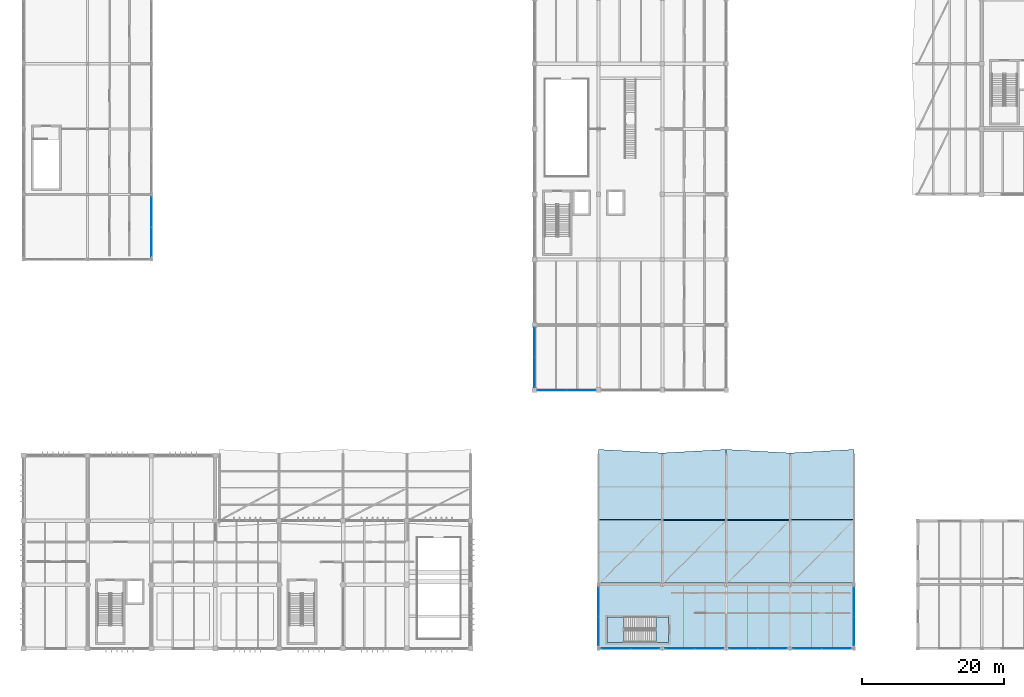
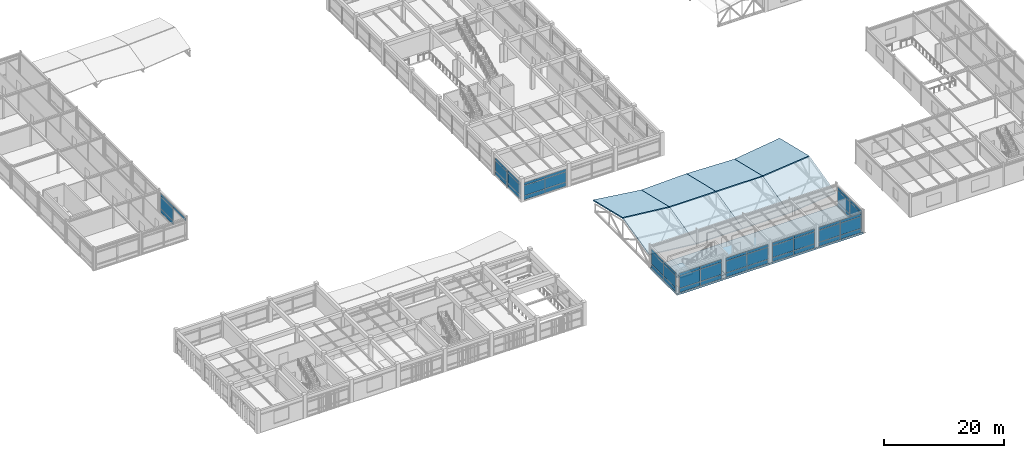
# One storey, part 54 of 90: 52 plates, 11 slabs, 10 elements without a shape of their own.
"""IFC4 building model written with IfcOpenShell, lengths in metres."""

from ifc_helpers import new_model, si_unit, direction, frame, origin, origin_2d, place, context, subcontext, project, spatial, polyline, rectangle, outline, extrude, material, layer, layer_set, type_object, element, aggregate, save


model = new_model("IFC4")

# Units and contexts
model_context = context("Model", 3, precision=1e-05, world=origin(), true_north=direction((0.0, 1.0)))
body_context = subcontext(model_context, "Body", "Model", "MODEL_VIEW")
ifc_project = project(units=[si_unit("LENGTHUNIT", "METRE"), si_unit("AREAUNIT", "SQUARE_METRE"), si_unit("VOLUMEUNIT", "CUBIC_METRE"), si_unit("PLANEANGLEUNIT", "RADIAN"), si_unit("MASSUNIT", "GRAM", prefix="KILO")], contexts=[model_context])

# Site, building, storey
site_placement = place(None, origin())
site = spatial("IfcSite", under=ifc_project, at=site_placement, CompositionType="ELEMENT")
building_placement = place(site_placement, origin())
building = spatial("IfcBuilding", under=site, at=building_placement, Name="Bozkorgan Art Gallery", CompositionType="ELEMENT")
storey_placement = place(building_placement, frame((0.0, 0.0, 5.39990234375)))
storey = spatial("IfcBuildingStorey", under=building, at=storey_placement, Name="L01", CompositionType="ELEMENT", Elevation=5.39990234375)

# Curtain wall, plates
ifc_material_1 = material(Name="Anodised Bronze Aluminium", Category="aluminium")
curtain_wall_type_1 = type_object("IfcCurtainWallType", Name="CW-CW-52", PredefinedType="NOTDEFINED", material=ifc_material_1)
curtain_wall_1_placement = place(storey_placement, origin())
curtain_wall_1 = element("IfcCurtainWall", 1, at=curtain_wall_1_placement, inside=storey, type_object=curtain_wall_type_1, Name="L01 unitised curtain wall CW-V2-L01-1E-06", PredefinedType="NOTDEFINED")
ifc_material_2 = material(Name="Triple Low-E Laminated Glass", Category="glass")
ifc_layer_1 = layer(ifc_material_2, 0.0439453125, Name="Triple Low-E Laminated Glass")
ifc_layer_set_1 = layer_set([ifc_layer_1], Name="Triple Low-E Laminated Glass")
plate_type = type_object("IfcPlateType", Name="CWP-GLZ", PredefinedType="CURTAIN_PANEL", material=ifc_layer_set_1)
plate_1_placement = place(storey_placement, frame((20.0, 59.2763671875, 3.48486328125), z_axis=(0.0, 0.0, 1.0), x_axis=(0.0, 1.0, 0.0)))
plate_1 = element("IfcPlate", 2, at=plate_1_placement, type_object=plate_type, Name="CW-52 panel 1.3", PredefinedType="CURTAIN_PANEL", context=body_context, shape_type="SweptSolid", body=[
    extrude(rectangle(XDim=4.172607421875, YDim=0.0439453125, at=origin_2d()), origin(), (0.0, 0.0, 1.0), 0.530029296875),
])
plate_2_placement = place(storey_placement, frame((20.0, 63.523681640625, 0.10009765625), z_axis=(0.0, 0.0, 1.0), x_axis=(0.0, 1.0, 0.0)))
plate_2 = element("IfcPlate", 3, at=plate_2_placement, type_object=plate_type, Name="CW-52 panel 2.1", PredefinedType="CURTAIN_PANEL", context=body_context, shape_type="SweptSolid", body=[
    extrude(rectangle(XDim=4.172607421875, YDim=0.0439453125, at=origin_2d()), origin(), (0.0, 0.0, 1.0), 0.780029296875),
])
plate_3_placement = place(storey_placement, frame((20.0, 63.523681640625, 0.9599609375), z_axis=(0.0, 0.0, 1.0), x_axis=(0.0, 1.0, 0.0)))
plate_3 = element("IfcPlate", 4, at=plate_3_placement, type_object=plate_type, Name="CW-52 panel 2.2", PredefinedType="CURTAIN_PANEL", context=body_context, shape_type="SweptSolid", body=[
    extrude(rectangle(XDim=4.172607421875, YDim=0.0439453125, at=origin_2d()), origin(), (0.0, 0.0, 1.0), 2.445068359375),
])
plate_4_placement = place(storey_placement, frame((20.0, 63.523681640625, 3.48486328125), z_axis=(0.0, 0.0, 1.0), x_axis=(0.0, 1.0, 0.0)))
plate_4 = element("IfcPlate", 5, at=plate_4_placement, type_object=plate_type, Name="CW-52 panel 2.3", PredefinedType="CURTAIN_PANEL", context=body_context, shape_type="SweptSolid", body=[
    extrude(rectangle(XDim=4.172607421875, YDim=0.0439453125, at=origin_2d()), origin(), (0.0, 0.0, 1.0), 0.530029296875),
])
aggregate(curtain_wall_1, [plate_1, plate_2, plate_3, plate_4])

curtain_wall_type_2 = type_object("IfcCurtainWallType", Name="CW-CW-84", PredefinedType="NOTDEFINED", material=ifc_material_1)
curtain_wall_2_placement = place(storey_placement, origin())
curtain_wall_2 = element("IfcCurtainWall", 6, at=curtain_wall_2_placement, inside=storey, type_object=curtain_wall_type_2, Name="L01 unitised curtain wall CW-V3-L01-1S-01", PredefinedType="NOTDEFINED")
plate_5_placement = place(storey_placement, frame((85.451171875, 2.0, 0.094970703125), z_axis=(0.0, 0.0, 1.0), x_axis=(1.0, 0.0, 0.0)))
plate_5 = element("IfcPlate", 7, at=plate_5_placement, type_object=plate_type, Name="CW-84 panel 1.1", PredefinedType="CURTAIN_PANEL", context=body_context, shape_type="SweptSolid", body=[
    extrude(rectangle(XDim=4.0224609375, YDim=0.0439453125, at=origin_2d()), origin(), (0.0, 0.0, 1.0), 0.78759765625),
])
plate_6_placement = place(storey_placement, frame((85.451171875, 2.0, 0.95751953125), z_axis=(0.0, 0.0, 1.0), x_axis=(1.0, 0.0, 0.0)))
plate_6 = element("IfcPlate", 8, at=plate_6_placement, type_object=plate_type, Name="CW-84 panel 1.2", PredefinedType="CURTAIN_PANEL", context=body_context, shape_type="SweptSolid", body=[
    extrude(rectangle(XDim=4.0224609375, YDim=0.0439453125, at=origin_2d()), origin(), (0.0, 0.0, 1.0), 2.449951171875),
])
plate_7_placement = place(storey_placement, frame((85.451171875, 2.0, 3.482666015625), z_axis=(0.0, 0.0, 1.0), x_axis=(1.0, 0.0, 0.0)))
plate_7 = element("IfcPlate", 9, at=plate_7_placement, type_object=plate_type, Name="CW-84 panel 1.3", PredefinedType="CURTAIN_PANEL", context=body_context, shape_type="SweptSolid", body=[
    extrude(rectangle(XDim=4.0224609375, YDim=0.0439453125, at=origin_2d()), origin(), (0.0, 0.0, 1.0), 0.53759765625),
])
plate_8_placement = place(storey_placement, frame((89.548828125, 2.0, 0.094970703125), z_axis=(0.0, 0.0, 1.0), x_axis=(1.0, 0.0, 0.0)))
plate_8 = element("IfcPlate", 10, at=plate_8_placement, type_object=plate_type, Name="CW-84 panel 2.1", PredefinedType="CURTAIN_PANEL", context=body_context, shape_type="SweptSolid", body=[
    extrude(rectangle(XDim=4.0224609375, YDim=0.0439453125, at=origin_2d()), origin(), (0.0, 0.0, 1.0), 0.78759765625),
])
plate_9_placement = place(storey_placement, frame((89.548828125, 2.0, 0.95751953125), z_axis=(0.0, 0.0, 1.0), x_axis=(1.0, 0.0, 0.0)))
plate_9 = element("IfcPlate", 11, at=plate_9_placement, type_object=plate_type, Name="CW-84 panel 2.2", PredefinedType="CURTAIN_PANEL", context=body_context, shape_type="SweptSolid", body=[
    extrude(rectangle(XDim=4.0224609375, YDim=0.0439453125, at=origin_2d()), origin(), (0.0, 0.0, 1.0), 2.449951171875),
])
plate_10_placement = place(storey_placement, frame((89.548828125, 2.0, 3.482666015625), z_axis=(0.0, 0.0, 1.0), x_axis=(1.0, 0.0, 0.0)))
plate_10 = element("IfcPlate", 12, at=plate_10_placement, type_object=plate_type, Name="CW-84 panel 2.3", PredefinedType="CURTAIN_PANEL", context=body_context, shape_type="SweptSolid", body=[
    extrude(rectangle(XDim=4.0224609375, YDim=0.0439453125, at=origin_2d()), origin(), (0.0, 0.0, 1.0), 0.53759765625),
])
aggregate(curtain_wall_2, [plate_5, plate_6, plate_7, plate_8, plate_9, plate_10])

curtain_wall_type_3 = type_object("IfcCurtainWallType", Name="CW-CW-44", PredefinedType="NOTDEFINED", material=ifc_material_1)
curtain_wall_3_placement = place(storey_placement, origin())
curtain_wall_3 = element("IfcCurtainWall", 13, at=curtain_wall_3_placement, inside=storey, type_object=curtain_wall_type_3, Name="L01 unitised curtain wall CW-V3-L01-1S-03", PredefinedType="NOTDEFINED")
plate_11_placement = place(storey_placement, frame((94.451171875, 2.0, 0.094970703125), z_axis=(0.0, 0.0, 1.0), x_axis=(1.0, 0.0, 0.0)))
plate_11 = element("IfcPlate", 14, at=plate_11_placement, type_object=plate_type, Name="CW-44 panel 1.1", PredefinedType="CURTAIN_PANEL", context=body_context, shape_type="SweptSolid", body=[
    extrude(rectangle(XDim=4.0224609375, YDim=0.0439453125, at=origin_2d()), origin(), (0.0, 0.0, 1.0), 0.78759765625),
])
plate_12_placement = place(storey_placement, frame((94.451171875, 2.0, 0.95751953125), z_axis=(0.0, 0.0, 1.0), x_axis=(1.0, 0.0, 0.0)))
plate_12 = element("IfcPlate", 15, at=plate_12_placement, type_object=plate_type, Name="CW-44 panel 1.2", PredefinedType="CURTAIN_PANEL", context=body_context, shape_type="SweptSolid", body=[
    extrude(rectangle(XDim=4.0224609375, YDim=0.0439453125, at=origin_2d()), origin(), (0.0, 0.0, 1.0), 2.389892578125),
])
plate_13_placement = place(storey_placement, frame((94.451171875, 2.0, 3.422607421875), z_axis=(0.0, 0.0, 1.0), x_axis=(1.0, 0.0, 0.0)))
plate_13 = element("IfcPlate", 16, at=plate_13_placement, type_object=plate_type, Name="CW-44 panel 1.3", PredefinedType="CURTAIN_PANEL", context=body_context, shape_type="SweptSolid", body=[
    extrude(rectangle(XDim=4.0224609375, YDim=0.0439453125, at=origin_2d()), origin(), (0.0, 0.0, 1.0), 0.53759765625),
])
plate_14_placement = place(storey_placement, frame((98.548828125, 2.0, 0.094970703125), z_axis=(0.0, 0.0, 1.0), x_axis=(1.0, 0.0, 0.0)))
plate_14 = element("IfcPlate", 17, at=plate_14_placement, type_object=plate_type, Name="CW-44 panel 2.1", PredefinedType="CURTAIN_PANEL", context=body_context, shape_type="SweptSolid", body=[
    extrude(rectangle(XDim=4.0224609375, YDim=0.0439453125, at=origin_2d()), origin(), (0.0, 0.0, 1.0), 0.78759765625),
])
plate_15_placement = place(storey_placement, frame((98.548828125, 2.0, 0.95751953125), z_axis=(0.0, 0.0, 1.0), x_axis=(1.0, 0.0, 0.0)))
plate_15 = element("IfcPlate", 18, at=plate_15_placement, type_object=plate_type, Name="CW-44 panel 2.2", PredefinedType="CURTAIN_PANEL", context=body_context, shape_type="SweptSolid", body=[
    extrude(rectangle(XDim=4.0224609375, YDim=0.0439453125, at=origin_2d()), origin(), (0.0, 0.0, 1.0), 2.389892578125),
])
plate_16_placement = place(storey_placement, frame((98.548828125, 2.0, 3.422607421875), z_axis=(0.0, 0.0, 1.0), x_axis=(1.0, 0.0, 0.0)))
plate_16 = element("IfcPlate", 19, at=plate_16_placement, type_object=plate_type, Name="CW-44 panel 2.3", PredefinedType="CURTAIN_PANEL", context=body_context, shape_type="SweptSolid", body=[
    extrude(rectangle(XDim=4.0224609375, YDim=0.0439453125, at=origin_2d()), origin(), (0.0, 0.0, 1.0), 0.53759765625),
])
aggregate(curtain_wall_3, [plate_11, plate_12, plate_13, plate_14, plate_15, plate_16])

curtain_wall_4_placement = place(storey_placement, origin())
curtain_wall_4 = element("IfcCurtainWall", 20, at=curtain_wall_4_placement, inside=storey, type_object=curtain_wall_type_3, Name="L01 unitised curtain wall CW-V3-L01-1S-05", PredefinedType="NOTDEFINED")
plate_17_placement = place(storey_placement, frame((103.451171875, 2.0, 0.094970703125), z_axis=(0.0, 0.0, 1.0), x_axis=(1.0, 0.0, 0.0)))
plate_17 = element("IfcPlate", 21, at=plate_17_placement, type_object=plate_type, Name="CW-44 panel 1.1", PredefinedType="CURTAIN_PANEL", context=body_context, shape_type="SweptSolid", body=[
    extrude(rectangle(XDim=4.0224609375, YDim=0.0439453125, at=origin_2d()), origin(), (0.0, 0.0, 1.0), 0.78759765625),
])
plate_18_placement = place(storey_placement, frame((103.451171875, 2.0, 0.95751953125), z_axis=(0.0, 0.0, 1.0), x_axis=(1.0, 0.0, 0.0)))
plate_18 = element("IfcPlate", 22, at=plate_18_placement, type_object=plate_type, Name="CW-44 panel 1.2", PredefinedType="CURTAIN_PANEL", context=body_context, shape_type="SweptSolid", body=[
    extrude(rectangle(XDim=4.0224609375, YDim=0.0439453125, at=origin_2d()), origin(), (0.0, 0.0, 1.0), 2.389892578125),
])
plate_19_placement = place(storey_placement, frame((103.451171875, 2.0, 3.422607421875), z_axis=(0.0, 0.0, 1.0), x_axis=(1.0, 0.0, 0.0)))
plate_19 = element("IfcPlate", 23, at=plate_19_placement, type_object=plate_type, Name="CW-44 panel 1.3", PredefinedType="CURTAIN_PANEL", context=body_context, shape_type="SweptSolid", body=[
    extrude(rectangle(XDim=4.0224609375, YDim=0.0439453125, at=origin_2d()), origin(), (0.0, 0.0, 1.0), 0.53759765625),
])
plate_20_placement = place(storey_placement, frame((107.548828125, 2.0, 0.094970703125), z_axis=(0.0, 0.0, 1.0), x_axis=(1.0, 0.0, 0.0)))
plate_20 = element("IfcPlate", 24, at=plate_20_placement, type_object=plate_type, Name="CW-44 panel 2.1", PredefinedType="CURTAIN_PANEL", context=body_context, shape_type="SweptSolid", body=[
    extrude(rectangle(XDim=4.0224609375, YDim=0.0439453125, at=origin_2d()), origin(), (0.0, 0.0, 1.0), 0.78759765625),
])
plate_21_placement = place(storey_placement, frame((107.548828125, 2.0, 0.95751953125), z_axis=(0.0, 0.0, 1.0), x_axis=(1.0, 0.0, 0.0)))
plate_21 = element("IfcPlate", 25, at=plate_21_placement, type_object=plate_type, Name="CW-44 panel 2.2", PredefinedType="CURTAIN_PANEL", context=body_context, shape_type="SweptSolid", body=[
    extrude(rectangle(XDim=4.0224609375, YDim=0.0439453125, at=origin_2d()), origin(), (0.0, 0.0, 1.0), 2.389892578125),
])
plate_22_placement = place(storey_placement, frame((107.548828125, 2.0, 3.422607421875), z_axis=(0.0, 0.0, 1.0), x_axis=(1.0, 0.0, 0.0)))
plate_22 = element("IfcPlate", 26, at=plate_22_placement, type_object=plate_type, Name="CW-44 panel 2.3", PredefinedType="CURTAIN_PANEL", context=body_context, shape_type="SweptSolid", body=[
    extrude(rectangle(XDim=4.0224609375, YDim=0.0439453125, at=origin_2d()), origin(), (0.0, 0.0, 1.0), 0.53759765625),
])
aggregate(curtain_wall_4, [plate_17, plate_18, plate_19, plate_20, plate_21, plate_22])

curtain_wall_5_placement = place(storey_placement, origin())
curtain_wall_5 = element("IfcCurtainWall", 27, at=curtain_wall_5_placement, inside=storey, type_object=curtain_wall_type_3, Name="L01 unitised curtain wall CW-V3-L01-1S-07", PredefinedType="NOTDEFINED")
plate_23_placement = place(storey_placement, frame((112.451171875, 2.0, 0.094970703125), z_axis=(0.0, 0.0, 1.0), x_axis=(1.0, 0.0, 0.0)))
plate_23 = element("IfcPlate", 28, at=plate_23_placement, type_object=plate_type, Name="CW-44 panel 1.1", PredefinedType="CURTAIN_PANEL", context=body_context, shape_type="SweptSolid", body=[
    extrude(rectangle(XDim=4.0224609375, YDim=0.0439453125, at=origin_2d()), origin(), (0.0, 0.0, 1.0), 0.78759765625),
])
plate_24_placement = place(storey_placement, frame((112.451171875, 2.0, 0.95751953125), z_axis=(0.0, 0.0, 1.0), x_axis=(1.0, 0.0, 0.0)))
plate_24 = element("IfcPlate", 29, at=plate_24_placement, type_object=plate_type, Name="CW-44 panel 1.2", PredefinedType="CURTAIN_PANEL", context=body_context, shape_type="SweptSolid", body=[
    extrude(rectangle(XDim=4.0224609375, YDim=0.0439453125, at=origin_2d()), origin(), (0.0, 0.0, 1.0), 2.389892578125),
])
plate_25_placement = place(storey_placement, frame((112.451171875, 2.0, 3.422607421875), z_axis=(0.0, 0.0, 1.0), x_axis=(1.0, 0.0, 0.0)))
plate_25 = element("IfcPlate", 30, at=plate_25_placement, type_object=plate_type, Name="CW-44 panel 1.3", PredefinedType="CURTAIN_PANEL", context=body_context, shape_type="SweptSolid", body=[
    extrude(rectangle(XDim=4.0224609375, YDim=0.0439453125, at=origin_2d()), origin(), (0.0, 0.0, 1.0), 0.53759765625),
])
plate_26_placement = place(storey_placement, frame((116.548828125, 2.0, 0.094970703125), z_axis=(0.0, 0.0, 1.0), x_axis=(1.0, 0.0, 0.0)))
plate_26 = element("IfcPlate", 31, at=plate_26_placement, type_object=plate_type, Name="CW-44 panel 2.1", PredefinedType="CURTAIN_PANEL", context=body_context, shape_type="SweptSolid", body=[
    extrude(rectangle(XDim=4.0224609375, YDim=0.0439453125, at=origin_2d()), origin(), (0.0, 0.0, 1.0), 0.78759765625),
])
plate_27_placement = place(storey_placement, frame((116.548828125, 2.0, 0.95751953125), z_axis=(0.0, 0.0, 1.0), x_axis=(1.0, 0.0, 0.0)))
plate_27 = element("IfcPlate", 32, at=plate_27_placement, type_object=plate_type, Name="CW-44 panel 2.2", PredefinedType="CURTAIN_PANEL", context=body_context, shape_type="SweptSolid", body=[
    extrude(rectangle(XDim=4.0224609375, YDim=0.0439453125, at=origin_2d()), origin(), (0.0, 0.0, 1.0), 2.389892578125),
])
plate_28_placement = place(storey_placement, frame((116.548828125, 2.0, 3.422607421875), z_axis=(0.0, 0.0, 1.0), x_axis=(1.0, 0.0, 0.0)))
plate_28 = element("IfcPlate", 33, at=plate_28_placement, type_object=plate_type, Name="CW-44 panel 2.3", PredefinedType="CURTAIN_PANEL", context=body_context, shape_type="SweptSolid", body=[
    extrude(rectangle(XDim=4.0224609375, YDim=0.0439453125, at=origin_2d()), origin(), (0.0, 0.0, 1.0), 0.53759765625),
])
aggregate(curtain_wall_5, [plate_23, plate_24, plate_25, plate_26, plate_27, plate_28])

curtain_wall_6_placement = place(storey_placement, origin())
curtain_wall_6 = element("IfcCurtainWall", 34, at=curtain_wall_6_placement, inside=storey, type_object=curtain_wall_type_2, Name="L01 unitised curtain wall CW-V3-L01-1W-09", PredefinedType="NOTDEFINED")
plate_29_placement = place(storey_placement, frame((83.0, 4.451171875, 0.094970703125), z_axis=(0.0, 0.0, 1.0), x_axis=(0.0, 1.0, 0.0)))
plate_29 = element("IfcPlate", 35, at=plate_29_placement, type_object=plate_type, Name="CW-84 panel 1.1", PredefinedType="CURTAIN_PANEL", context=body_context, shape_type="SweptSolid", body=[
    extrude(rectangle(XDim=4.0224609375, YDim=0.0439453125, at=origin_2d()), origin(), (0.0, 0.0, 1.0), 0.78759765625),
])
plate_30_placement = place(storey_placement, frame((83.0, 4.451171875, 0.95751953125), z_axis=(0.0, 0.0, 1.0), x_axis=(0.0, 1.0, 0.0)))
plate_30 = element("IfcPlate", 36, at=plate_30_placement, type_object=plate_type, Name="CW-84 panel 1.2", PredefinedType="CURTAIN_PANEL", context=body_context, shape_type="SweptSolid", body=[
    extrude(rectangle(XDim=4.0224609375, YDim=0.0439453125, at=origin_2d()), origin(), (0.0, 0.0, 1.0), 2.449951171875),
])
plate_31_placement = place(storey_placement, frame((83.0, 4.451171875, 3.482666015625), z_axis=(0.0, 0.0, 1.0), x_axis=(0.0, 1.0, 0.0)))
plate_31 = element("IfcPlate", 37, at=plate_31_placement, type_object=plate_type, Name="CW-84 panel 1.3", PredefinedType="CURTAIN_PANEL", context=body_context, shape_type="SweptSolid", body=[
    extrude(rectangle(XDim=4.0224609375, YDim=0.0439453125, at=origin_2d()), origin(), (0.0, 0.0, 1.0), 0.53759765625),
])
plate_32_placement = place(storey_placement, frame((83.0, 8.548828125, 0.094970703125), z_axis=(0.0, 0.0, 1.0), x_axis=(0.0, 1.0, 0.0)))
plate_32 = element("IfcPlate", 38, at=plate_32_placement, type_object=plate_type, Name="CW-84 panel 2.1", PredefinedType="CURTAIN_PANEL", context=body_context, shape_type="SweptSolid", body=[
    extrude(rectangle(XDim=4.0224609375, YDim=0.0439453125, at=origin_2d()), origin(), (0.0, 0.0, 1.0), 0.78759765625),
])
plate_33_placement = place(storey_placement, frame((83.0, 8.548828125, 0.95751953125), z_axis=(0.0, 0.0, 1.0), x_axis=(0.0, 1.0, 0.0)))
plate_33 = element("IfcPlate", 39, at=plate_33_placement, type_object=plate_type, Name="CW-84 panel 2.2", PredefinedType="CURTAIN_PANEL", context=body_context, shape_type="SweptSolid", body=[
    extrude(rectangle(XDim=4.0224609375, YDim=0.0439453125, at=origin_2d()), origin(), (0.0, 0.0, 1.0), 2.449951171875),
])
plate_34_placement = place(storey_placement, frame((83.0, 8.548828125, 3.482666015625), z_axis=(0.0, 0.0, 1.0), x_axis=(0.0, 1.0, 0.0)))
plate_34 = element("IfcPlate", 40, at=plate_34_placement, type_object=plate_type, Name="CW-84 panel 2.3", PredefinedType="CURTAIN_PANEL", context=body_context, shape_type="SweptSolid", body=[
    extrude(rectangle(XDim=4.0224609375, YDim=0.0439453125, at=origin_2d()), origin(), (0.0, 0.0, 1.0), 0.53759765625),
])
aggregate(curtain_wall_6, [plate_29, plate_30, plate_31, plate_32, plate_33, plate_34])

curtain_wall_7_placement = place(storey_placement, origin())
curtain_wall_7 = element("IfcCurtainWall", 41, at=curtain_wall_7_placement, inside=storey, type_object=curtain_wall_type_2, Name="L01 unitised curtain wall CW-V3-L01-1E-10", PredefinedType="NOTDEFINED")
plate_35_placement = place(storey_placement, frame((119.0, 4.451171875, 0.094970703125), z_axis=(0.0, 0.0, 1.0), x_axis=(0.0, 1.0, 0.0)))
plate_35 = element("IfcPlate", 42, at=plate_35_placement, type_object=plate_type, Name="CW-84 panel 1.1", PredefinedType="CURTAIN_PANEL", context=body_context, shape_type="SweptSolid", body=[
    extrude(rectangle(XDim=4.0224609375, YDim=0.0439453125, at=origin_2d()), origin(), (0.0, 0.0, 1.0), 0.78759765625),
])
plate_36_placement = place(storey_placement, frame((119.0, 4.451171875, 0.95751953125), z_axis=(0.0, 0.0, 1.0), x_axis=(0.0, 1.0, 0.0)))
plate_36 = element("IfcPlate", 43, at=plate_36_placement, type_object=plate_type, Name="CW-84 panel 1.2", PredefinedType="CURTAIN_PANEL", context=body_context, shape_type="SweptSolid", body=[
    extrude(rectangle(XDim=4.0224609375, YDim=0.0439453125, at=origin_2d()), origin(), (0.0, 0.0, 1.0), 2.449951171875),
])
plate_37_placement = place(storey_placement, frame((119.0, 4.451171875, 3.482666015625), z_axis=(0.0, 0.0, 1.0), x_axis=(0.0, 1.0, 0.0)))
plate_37 = element("IfcPlate", 44, at=plate_37_placement, type_object=plate_type, Name="CW-84 panel 1.3", PredefinedType="CURTAIN_PANEL", context=body_context, shape_type="SweptSolid", body=[
    extrude(rectangle(XDim=4.0224609375, YDim=0.0439453125, at=origin_2d()), origin(), (0.0, 0.0, 1.0), 0.53759765625),
])
plate_38_placement = place(storey_placement, frame((119.0, 8.548828125, 0.094970703125), z_axis=(0.0, 0.0, 1.0), x_axis=(0.0, 1.0, 0.0)))
plate_38 = element("IfcPlate", 45, at=plate_38_placement, type_object=plate_type, Name="CW-84 panel 2.1", PredefinedType="CURTAIN_PANEL", context=body_context, shape_type="SweptSolid", body=[
    extrude(rectangle(XDim=4.0224609375, YDim=0.0439453125, at=origin_2d()), origin(), (0.0, 0.0, 1.0), 0.78759765625),
])
plate_39_placement = place(storey_placement, frame((119.0, 8.548828125, 0.95751953125), z_axis=(0.0, 0.0, 1.0), x_axis=(0.0, 1.0, 0.0)))
plate_39 = element("IfcPlate", 46, at=plate_39_placement, type_object=plate_type, Name="CW-84 panel 2.2", PredefinedType="CURTAIN_PANEL", context=body_context, shape_type="SweptSolid", body=[
    extrude(rectangle(XDim=4.0224609375, YDim=0.0439453125, at=origin_2d()), origin(), (0.0, 0.0, 1.0), 2.449951171875),
])
plate_40_placement = place(storey_placement, frame((119.0, 8.548828125, 3.482666015625), z_axis=(0.0, 0.0, 1.0), x_axis=(0.0, 1.0, 0.0)))
plate_40 = element("IfcPlate", 47, at=plate_40_placement, type_object=plate_type, Name="CW-84 panel 2.3", PredefinedType="CURTAIN_PANEL", context=body_context, shape_type="SweptSolid", body=[
    extrude(rectangle(XDim=4.0224609375, YDim=0.0439453125, at=origin_2d()), origin(), (0.0, 0.0, 1.0), 0.53759765625),
])
aggregate(curtain_wall_7, [plate_35, plate_36, plate_37, plate_38, plate_39, plate_40])

curtain_wall_type_4 = type_object("IfcCurtainWallType", Name="CW-CW-19", PredefinedType="NOTDEFINED", material=ifc_material_1)
curtain_wall_8_placement = place(storey_placement, origin())
curtain_wall_8 = element("IfcCurtainWall", 48, at=curtain_wall_8_placement, inside=storey, type_object=curtain_wall_type_4, Name="L01 unitised curtain wall CW-V4-L01-1S-01", PredefinedType="NOTDEFINED")
plate_41_placement = place(storey_placement, frame((76.44873046875, 38.39990234375, 0.094970703125), z_axis=(0.0, 0.0, 1.0), x_axis=(1.0, 0.0, 0.0)))
plate_41 = element("IfcPlate", 49, at=plate_41_placement, type_object=plate_type, Name="CW-19 panel 1.1", PredefinedType="CURTAIN_PANEL", context=body_context, shape_type="SweptSolid", body=[
    extrude(rectangle(XDim=4.03759765625, YDim=0.0439453125, at=origin_2d()), origin(), (0.0, 0.0, 1.0), 0.78759765625),
])
plate_42_placement = place(storey_placement, frame((76.44873046875, 38.39990234375, 0.95751953125), z_axis=(0.0, 0.0, 1.0), x_axis=(1.0, 0.0, 0.0)))
plate_42 = element("IfcPlate", 50, at=plate_42_placement, type_object=plate_type, Name="CW-19 panel 1.2", PredefinedType="CURTAIN_PANEL", context=body_context, shape_type="SweptSolid", body=[
    extrude(rectangle(XDim=4.03759765625, YDim=0.0439453125, at=origin_2d()), origin(), (0.0, 0.0, 1.0), 2.030029296875),
])
plate_43_placement = place(storey_placement, frame((76.44873046875, 38.39990234375, 3.0625), z_axis=(0.0, 0.0, 1.0), x_axis=(1.0, 0.0, 0.0)))
plate_43 = element("IfcPlate", 51, at=plate_43_placement, type_object=plate_type, Name="CW-19 panel 1.3", PredefinedType="CURTAIN_PANEL", context=body_context, shape_type="SweptSolid", body=[
    extrude(rectangle(XDim=4.03759765625, YDim=0.0439453125, at=origin_2d()), origin(), (0.0, 0.0, 1.0), 0.53759765625),
])
plate_44_placement = place(storey_placement, frame((80.55126953125, 38.39990234375, 0.094970703125), z_axis=(0.0, 0.0, 1.0), x_axis=(1.0, 0.0, 0.0)))
plate_44 = element("IfcPlate", 52, at=plate_44_placement, type_object=plate_type, Name="CW-19 panel 2.1", PredefinedType="CURTAIN_PANEL", context=body_context, shape_type="SweptSolid", body=[
    extrude(rectangle(XDim=4.03759765625, YDim=0.0439453125, at=origin_2d()), origin(), (0.0, 0.0, 1.0), 0.78759765625),
])
plate_45_placement = place(storey_placement, frame((80.55126953125, 38.39990234375, 0.95751953125), z_axis=(0.0, 0.0, 1.0), x_axis=(1.0, 0.0, 0.0)))
plate_45 = element("IfcPlate", 53, at=plate_45_placement, type_object=plate_type, Name="CW-19 panel 2.2", PredefinedType="CURTAIN_PANEL", context=body_context, shape_type="SweptSolid", body=[
    extrude(rectangle(XDim=4.03759765625, YDim=0.0439453125, at=origin_2d()), origin(), (0.0, 0.0, 1.0), 2.030029296875),
])
plate_46_placement = place(storey_placement, frame((80.55126953125, 38.39990234375, 3.0625), z_axis=(0.0, 0.0, 1.0), x_axis=(1.0, 0.0, 0.0)))
plate_46 = element("IfcPlate", 54, at=plate_46_placement, type_object=plate_type, Name="CW-19 panel 2.3", PredefinedType="CURTAIN_PANEL", context=body_context, shape_type="SweptSolid", body=[
    extrude(rectangle(XDim=4.03759765625, YDim=0.0439453125, at=origin_2d()), origin(), (0.0, 0.0, 1.0), 0.53759765625),
])
aggregate(curtain_wall_8, [plate_41, plate_42, plate_43, plate_44, plate_45, plate_46])

curtain_wall_type_5 = type_object("IfcCurtainWallType", Name="CW-CW-16", PredefinedType="NOTDEFINED", material=ifc_material_1)
curtain_wall_9_placement = place(storey_placement, origin())
curtain_wall_9 = element("IfcCurtainWall", 55, at=curtain_wall_9_placement, inside=storey, type_object=curtain_wall_type_5, Name="L01 unitised curtain wall CW-V4-L01-1W-07", PredefinedType="NOTDEFINED")
plate_47_placement = place(storey_placement, frame((74.0, 40.898681640625, 0.10009765625), z_axis=(0.0, 0.0, 1.0), x_axis=(0.0, 1.0, 0.0)))
plate_47 = element("IfcPlate", 56, at=plate_47_placement, type_object=plate_type, Name="CW-16 panel 1.1", PredefinedType="CURTAIN_PANEL", context=body_context, shape_type="SweptSolid", body=[
    extrude(rectangle(XDim=4.137451171875, YDim=0.0439453125, at=origin_2d()), origin(), (0.0, 0.0, 1.0), 0.780029296875),
])
plate_48_placement = place(storey_placement, frame((74.0, 40.898681640625, 0.960205078125), z_axis=(0.0, 0.0, 1.0), x_axis=(0.0, 1.0, 0.0)))
plate_48 = element("IfcPlate", 57, at=plate_48_placement, type_object=plate_type, Name="CW-16 panel 1.2", PredefinedType="CURTAIN_PANEL", context=body_context, shape_type="SweptSolid", body=[
    extrude(rectangle(XDim=4.137451171875, YDim=0.0439453125, at=origin_2d()), origin(), (0.0, 0.0, 1.0), 2.02490234375),
])
plate_49_placement = place(storey_placement, frame((74.0, 40.898681640625, 3.06494140625), z_axis=(0.0, 0.0, 1.0), x_axis=(0.0, 1.0, 0.0)))
plate_49 = element("IfcPlate", 58, at=plate_49_placement, type_object=plate_type, Name="CW-16 panel 1.3", PredefinedType="CURTAIN_PANEL", context=body_context, shape_type="SweptSolid", body=[
    extrude(rectangle(XDim=4.137451171875, YDim=0.0439453125, at=origin_2d()), origin(), (0.0, 0.0, 1.0), 0.530029296875),
])
plate_50_placement = place(storey_placement, frame((74.0, 45.101318359375, 0.10009765625), z_axis=(0.0, 0.0, 1.0), x_axis=(0.0, 1.0, 0.0)))
plate_50 = element("IfcPlate", 59, at=plate_50_placement, type_object=plate_type, Name="CW-16 panel 2.1", PredefinedType="CURTAIN_PANEL", context=body_context, shape_type="SweptSolid", body=[
    extrude(rectangle(XDim=4.137451171875, YDim=0.0439453125, at=origin_2d()), origin(), (0.0, 0.0, 1.0), 0.780029296875),
])
plate_51_placement = place(storey_placement, frame((74.0, 45.101318359375, 0.960205078125), z_axis=(0.0, 0.0, 1.0), x_axis=(0.0, 1.0, 0.0)))
plate_51 = element("IfcPlate", 60, at=plate_51_placement, type_object=plate_type, Name="CW-16 panel 2.2", PredefinedType="CURTAIN_PANEL", context=body_context, shape_type="SweptSolid", body=[
    extrude(rectangle(XDim=4.137451171875, YDim=0.0439453125, at=origin_2d()), origin(), (0.0, 0.0, 1.0), 2.02490234375),
])
plate_52_placement = place(storey_placement, frame((74.0, 45.101318359375, 3.06494140625), z_axis=(0.0, 0.0, 1.0), x_axis=(0.0, 1.0, 0.0)))
plate_52 = element("IfcPlate", 61, at=plate_52_placement, type_object=plate_type, Name="CW-16 panel 2.3", PredefinedType="CURTAIN_PANEL", context=body_context, shape_type="SweptSolid", body=[
    extrude(rectangle(XDim=4.137451171875, YDim=0.0439453125, at=origin_2d()), origin(), (0.0, 0.0, 1.0), 0.530029296875),
])
aggregate(curtain_wall_9, [plate_47, plate_48, plate_49, plate_50, plate_51, plate_52])

# Stair, slab
ifc_material_3 = material(Name="Concrete C35/45", Category="concrete")
stair_type = type_object("IfcStairType", Name="STAIR-CORE6", PredefinedType="HALF_TURN_STAIR", material=ifc_material_3)
stair_placement = place(storey_placement, origin())
stair = element("IfcStair", 62, at=stair_placement, inside=storey, type_object=stair_type, Name="L01 ST6 Core Stair", PredefinedType="HALF_TURN_STAIR")
ifc_layer_2 = layer(ifc_material_3, 0.25, Name="Concrete C35/45")
ifc_layer_set_2 = layer_set([ifc_layer_2], Name="Concrete C35/45")
slab_type_1 = type_object("IfcSlabType", Name="LAND-CORE6", PredefinedType="LANDING", material=ifc_layer_set_2)
slab_1_placement = place(storey_placement, frame((0.0, 0.0, 2.2001953125)))
slab_1 = element("IfcSlab", 63, at=slab_1_placement, type_object=slab_type_1, Name="ST6 landing 1", PredefinedType="LANDING", context=body_context, shape_type="SweptSolid", body=[
    extrude(outline(polyline([(86.60009765625, 6.449951171875), (84.199951171875, 6.449951171875), (84.199951171875, 2.85009765625), (86.60009765625, 2.85009765625), (86.60009765625, 6.449951171875)])), origin(), (0.0, 0.0, 1.0), 0.199951171875),
])
aggregate(stair, [slab_1])

# Slabs
slab_2_placement = place(storey_placement, frame((0.0, 0.0, -0.33984375)))
element("IfcSlab", 64, at=slab_2_placement, inside=storey, type_object=slab_type_1, Name="ST6 L01 floor landing", PredefinedType="LANDING", context=body_context, shape_type="SweptSolid", body=[
    extrude(outline(polyline([(91.10009765625, 2.85009765625), (92.85009765625, 2.85009765625), (92.85009765625, 6.449951171875), (91.10009765625, 6.449951171875), (91.10009765625, 2.85009765625)])), origin(), (0.0, 0.0, 1.0), 0.33984375),
])
ifc_layer_3 = layer(ifc_material_3, 0.219970703125, Name="Concrete C35/45")
ifc_layer_set_3 = layer_set([ifc_layer_3], Name="Concrete C35/45")
slab_type_2 = type_object("IfcSlabType", Name="SLAB-RF-44", PredefinedType="ROOF", material=ifc_layer_set_3)
slab_3_placement = place(storey_placement, frame((83.0, 11.25, 2.44140625), z_axis=(0.100954818299, -0.232249914018, 0.967402761057), x_axis=(0.994598929439, 0.0, -0.103792916709)))
element("IfcSlab", 65, at=slab_3_placement, inside=storey, type_object=slab_type_2, Name="ROOF-V3-BOWL swept-eave pitched roof slab 1S", PredefinedType="ROOF", context=body_context, shape_type="SweptSolid", body=[
    extrude(outline(polyline([(0.0, 0.0), (9.048873604837826, 2.7755575615628914e-17), (8.830340862236188, 9.016567233495465), (-0.2185327426016402, 9.016567233495463), (0.0, 0.0)])), origin(), (0.0, 0.0, -1.0), 0.219970703125),
])
slab_4_placement = place(storey_placement, frame((83.0, 20.179931640625, 4.546875), z_axis=(0.100963541741, 0.232239408771, 0.967404372666), x_axis=(0.994598070371, -1.976137e-06, -0.103801148407)))
element("IfcSlab", 66, at=slab_4_placement, inside=storey, type_object=slab_type_2, Name="ROOF-V3-BOWL swept-eave pitched roof slab 1N", PredefinedType="ROOF", context=body_context, shape_type="SweptSolid", body=[
    extrude(outline(polyline([(0.0, 0.0), (9.048873604510241, 0.0), (9.28235698763346, 9.6335291863446), (0.24592535498324145, 10.147547397100768), (0.0, 0.0)])), origin(), (0.0, 0.0, -1.0), 0.219970703125),
])
slab_5_placement = place(storey_placement, frame((92.0, 11.25, 1.502197265625), z_axis=(0.000870448604, -0.233442480995, 0.972370222902), x_axis=(0.999999599325, 0.0, -0.000895181933)))
element("IfcSlab", 67, at=slab_5_placement, inside=storey, type_object=slab_type_2, Name="ROOF-V3-BOWL swept-eave pitched roof slab 2S", PredefinedType="ROOF", context=body_context, shape_type="SweptSolid", body=[
    extrude(outline(polyline([(0.0, 0.0), (9.000003606080286, -2.168404344971009e-19), (8.998118828494814, 9.019214915021513), (-0.001884777585473186, 9.019214915021513), (0.0, 0.0)])), origin(), (0.0, 0.0, -1.0), 0.219970703125),
])
slab_6_placement = place(storey_placement, frame((92.0, 20.179931640625, 3.607666015625), z_axis=(0.000874695022, 0.233443794764, 0.972369903686), x_axis=(0.999999595619, -9.91366e-07, -0.000899311298)))
element("IfcSlab", 68, at=slab_6_placement, inside=storey, type_object=slab_type_2, Name="ROOF-V3-BOWL swept-eave pitched roof slab 2N", PredefinedType="ROOF", context=body_context, shape_type="SweptSolid", body=[
    extrude(outline(polyline([(0.0, 0.0), (9.000003605999131, 2.168404344971009e-19), (9.002124855146224, 10.150583724454457), (0.0020137220863801287, 9.636357975072276), (0.0, 0.0)])), origin(), (0.0, 0.0, -1.0), 0.219970703125),
])
slab_7_placement = place(storey_placement, frame((101.0, 11.25, 1.494140625), z_axis=(-0.000870448604, -0.233442480995, 0.972370222902), x_axis=(0.999999599325, 0.0, 0.000895181933)))
element("IfcSlab", 69, at=slab_7_placement, inside=storey, type_object=slab_type_2, Name="ROOF-V3-BOWL swept-eave pitched roof slab 3S", PredefinedType="ROOF", context=body_context, shape_type="SweptSolid", body=[
    extrude(outline(polyline([(0.0, 0.0), (9.000003606080286, 2.168404344971009e-19), (9.00188838366576, 9.01921491502151), (0.001884777585473186, 9.019214915021513), (0.0, 0.0)])), origin(), (0.0, 0.0, -1.0), 0.219970703125),
])
slab_8_placement = place(storey_placement, frame((101.0, 20.179931640625, 3.599609375), z_axis=(-0.000874695022, 0.233443794764, 0.972369903686), x_axis=(0.999999595619, 9.91366e-07, 0.000899311298)))
element("IfcSlab", 70, at=slab_8_placement, inside=storey, type_object=slab_type_2, Name="ROOF-V3-BOWL swept-eave pitched roof slab 3N", PredefinedType="ROOF", context=body_context, shape_type="SweptSolid", body=[
    extrude(outline(polyline([(0.0, 0.0), (9.000003605999131, -2.168404344971009e-19), (8.997989883912751, 9.636357975072276), (-0.002121249147093228, 10.150583724454458), (0.0, 0.0)])), origin(), (0.0, 0.0, -1.0), 0.219970703125),
])
slab_9_placement = place(storey_placement, frame((110.0, 11.25, 1.502197265625), z_axis=(-0.100954818299, -0.232249914018, 0.967402761057), x_axis=(0.994598929439, 0.0, 0.103792916709)))
element("IfcSlab", 71, at=slab_9_placement, inside=storey, type_object=slab_type_2, Name="ROOF-V3-BOWL swept-eave pitched roof slab 4S", PredefinedType="ROOF", context=body_context, shape_type="SweptSolid", body=[
    extrude(outline(polyline([(0.0, 0.0), (9.048873604837826, -2.7755575615628914e-17), (9.267406347439467, 9.016567233495463), (0.2185327426016402, 9.016567233495463), (0.0, 0.0)])), origin(), (0.0, 0.0, -1.0), 0.219970703125),
])
slab_10_placement = place(storey_placement, frame((110.0, 20.179931640625, 3.607666015625), z_axis=(-0.100963541741, 0.232239408771, 0.967404372666), x_axis=(0.994598070371, 1.976137e-06, 0.103801148407)))
element("IfcSlab", 72, at=slab_10_placement, inside=storey, type_object=slab_type_2, Name="ROOF-V3-BOWL swept-eave pitched roof slab 4N", PredefinedType="ROOF", context=body_context, shape_type="SweptSolid", body=[
    extrude(outline(polyline([(0.0, 0.0), (9.048873604510241, 0.0), (8.802948249526999, 10.147547397100768), (-0.23348338312321795, 9.633529186344601), (0.0, 0.0)])), origin(), (0.0, 0.0, -1.0), 0.219970703125),
])
ifc_layer_4 = layer(ifc_material_3, 0.340087890625, Name="Concrete C35/45")
ifc_layer_set_4 = layer_set([ifc_layer_4], Name="Concrete C35/45")
slab_type_3 = type_object("IfcSlabType", Name="SLAB-SL-48", PredefinedType="FLOOR", material=ifc_layer_set_4)
slab_11_placement = place(storey_placement, frame((0.0, 0.0, -0.33984375)))
element("IfcSlab", 73, at=slab_11_placement, inside=storey, type_object=slab_type_3, Name="V3 L01 floor slab 1.1", PredefinedType="FLOOR", context=body_context, shape_type="SweptSolid", body=[
    extrude(outline(polyline([(83.0, 2.0), (119.0, 2.0), (119.0, 11.0), (83.0, 11.0), (83.0, 2.0)]), holes=[polyline([(84.199951171875, 2.85009765625), (92.85009765625, 2.85009765625), (92.85009765625, 6.449951171875), (84.199951171875, 6.449951171875), (84.199951171875, 2.85009765625)])]), origin(), (0.0, 0.0, 1.0), 0.33984375),
])

save(model, "model.ifc")
